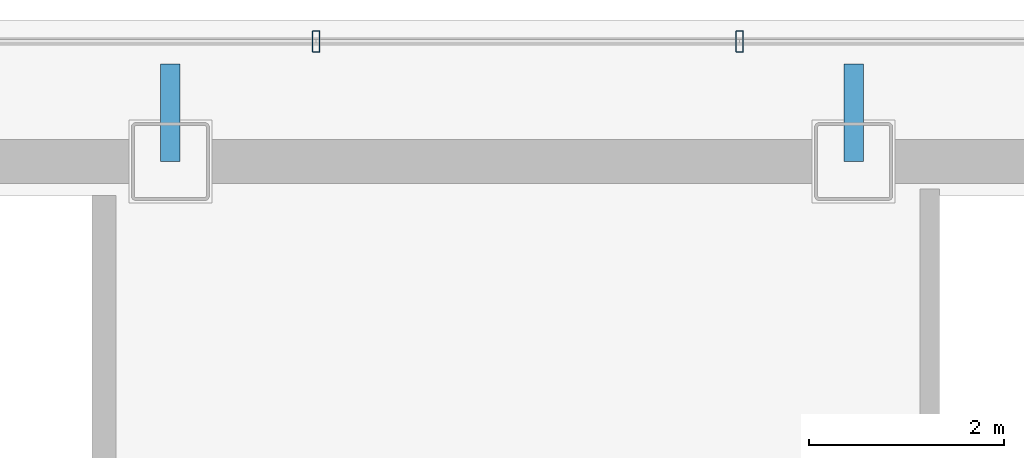
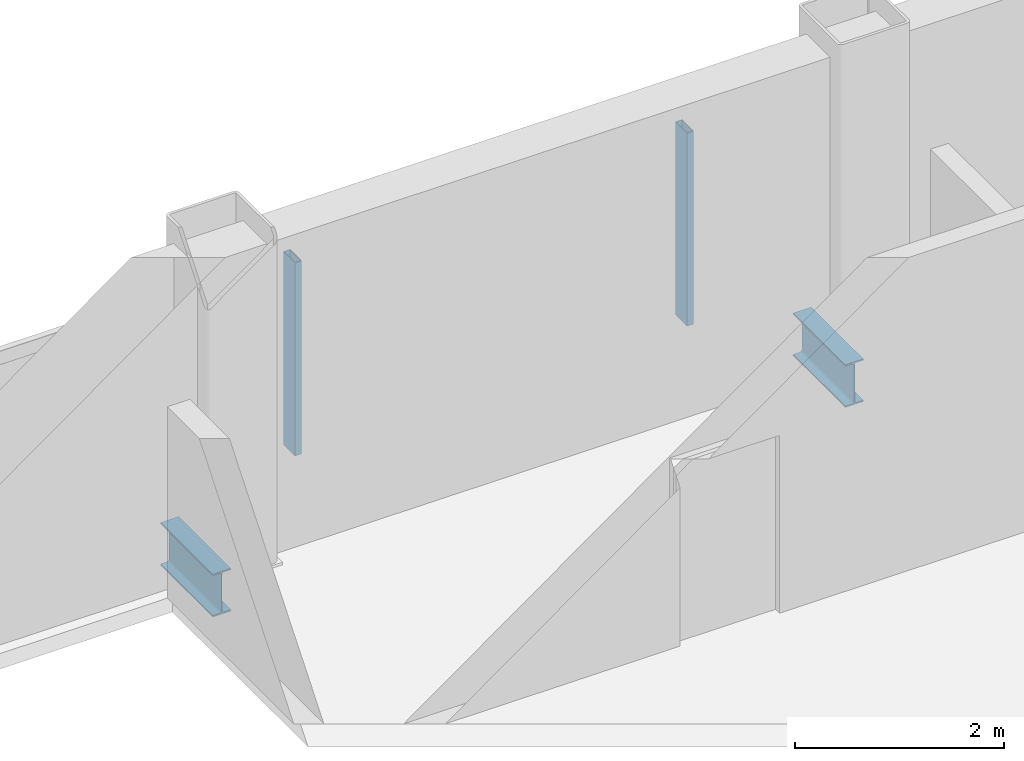
# One storey, part 7 of 17: 2 beams, 2 members, 1 element without a shape of its own.
"""IFC4 building model written with IfcOpenShell, lengths in metres."""

from ifc_helpers import new_model, si_unit, direction, frame, origin, origin_2d, place, context, subcontext, project, spatial, hollow_rectangle, i_section, extrude, material, material_profile, profile_set, type_object, element, aggregate, save


model = new_model("IFC4")

# Units and contexts
model_context = context("Model", 3, precision=1e-05, world=origin(), true_north=direction((0.0, 1.0)))
body_context = subcontext(model_context, "Body", "Model", "MODEL_VIEW")
ifc_project = project(units=[si_unit("LENGTHUNIT", "METRE"), si_unit("AREAUNIT", "SQUARE_METRE"), si_unit("VOLUMEUNIT", "CUBIC_METRE"), si_unit("PLANEANGLEUNIT", "RADIAN"), si_unit("MASSUNIT", "GRAM", prefix="KILO")], contexts=[model_context])

# Site, building, storey
site_placement = place(None, origin())
site = spatial("IfcSite", under=ifc_project, at=site_placement, CompositionType="ELEMENT")
building_placement = place(site_placement, origin())
building = spatial("IfcBuilding", under=site, at=building_placement, Name="Noeulbin Bourse Tower", CompositionType="ELEMENT")
storey_placement = place(building_placement, frame((0.0, 0.0, 226.699951171875)))
storey = spatial("IfcBuildingStorey", under=building, at=storey_placement, Name="L56", CompositionType="ELEMENT", Elevation=226.699951171875)

# Beams
ifc_material_1 = material(Name="Steel S355", Category="steel")
ifc_material_profile_1 = material_profile(ifc_material_1, i_section(OverallWidth=0.199951171875, OverallDepth=0.5, WebThickness=0.010009765625, FlangeThickness=0.01611328125, FilletRadius=0.02001953125, at=origin_2d()), Name="H-500x200x10x16", Category="LoadBearing")
ifc_profile_set_1 = profile_set([ifc_material_profile_1], Name="Steel S355")
beam_type = type_object("IfcBeamType", Name="BM-GRD-500", PredefinedType="USERDEFINED", material=ifc_profile_set_1)
for number, where, z_axis, x_axis, name in (
    (1, (24.0, 38.300048828125, -0.429931640625), (0.0, 1.0, 0.0), (-1.0, 0.0, 0.0), "Tower Primary Girder NS L56-2.4"),
    (2, (31.0, 38.300048828125, -0.429931640625), (0.0, 1.0, 0.0), (-1.0, 0.0, 0.0), "Tower Primary Girder NS L56-3.4"),
):
    element("IfcBeam", number, at=place(storey_placement, frame(where, z_axis=z_axis, x_axis=x_axis)), inside=storey, type_object=beam_type, Name=name, ObjectType="GIRDER", PredefinedType="USERDEFINED", context=body_context, shape_type="SweptSolid", body=[
        extrude(i_section(OverallWidth=0.199951171875, OverallDepth=0.5, WebThickness=0.010009765625, FlangeThickness=0.01611328125, FilletRadius=0.02001953125, at=origin_2d()), origin(), (0.0, 0.0, 1.0), 1.0),
    ])

# Curtain wall, members
ifc_material_2 = material(Name="High-Selectivity Low-Iron Glazing", Category="glass")
curtain_wall_type = type_object("IfcCurtainWallType", Name="CW-SYS-4", PredefinedType="NOTDEFINED", material=ifc_material_2)
curtain_wall_placement = place(storey_placement, origin())
curtain_wall = element("IfcCurtainWall", 3, at=curtain_wall_placement, inside=storey, type_object=curtain_wall_type, Name="Unitised Curtain Wall CW-L56-N", PredefinedType="NOTDEFINED")
ifc_material_3 = material(Name="Anodised Aluminium 6063-T6", Category="aluminium")
ifc_material_profile_2 = material_profile(ifc_material_3, hollow_rectangle(XDim=0.074951171875, YDim=0.219970703125, WallThickness=0.0048828125, InnerFilletRadius=0.00244140625, OuterFilletRadius=0.0048828125, at=origin_2d()), Name="ALU-MULL-75x220x5", Category="LoadBearing")
ifc_profile_set_2 = profile_set([ifc_material_profile_2], Name="Anodised Aluminium 6063-T6")
member_type = type_object("IfcMemberType", Name="CW-SYS-4-MUL", PredefinedType="MULLION", material=ifc_profile_set_2)
member_1_placement = place(storey_placement, frame((25.493408203125, 39.530029296875, -0.02001953125), z_axis=(0.0, 0.0, 1.0), x_axis=(1.0, 0.0, 0.0)))
member_1 = element("IfcMember", 4, at=member_1_placement, type_object=member_type, Name="Curtain Wall Mullion CW-L56-N-M03", PredefinedType="MULLION", context=body_context, shape_type="SweptSolid", body=[
    extrude(hollow_rectangle(XDim=0.074951171875, YDim=0.219970703125, WallThickness=0.0048828125, InnerFilletRadius=0.00244140625, OuterFilletRadius=0.0048828125, at=origin_2d()), origin(), (0.0, 0.0, 1.0), 2.260009765625),
])
member_2_placement = place(storey_placement, frame((29.8310546875, 39.530029296875, -0.02001953125), z_axis=(0.0, 0.0, 1.0), x_axis=(1.0, 0.0, 0.0)))
member_2 = element("IfcMember", 5, at=member_2_placement, type_object=member_type, Name="Curtain Wall Mullion CW-L56-N-M04", PredefinedType="MULLION", context=body_context, shape_type="SweptSolid", body=[
    extrude(hollow_rectangle(XDim=0.074951171875, YDim=0.219970703125, WallThickness=0.0048828125, InnerFilletRadius=0.00244140625, OuterFilletRadius=0.0048828125, at=origin_2d()), origin(), (0.0, 0.0, 1.0), 2.260009765625),
])
aggregate(curtain_wall, [member_1, member_2])

save(model, "model.ifc")
